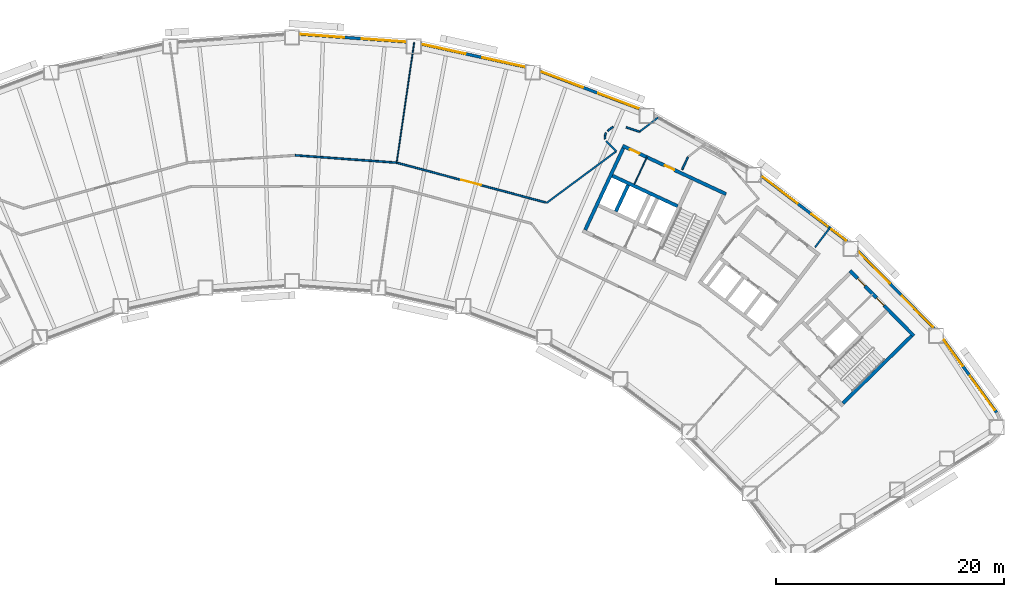
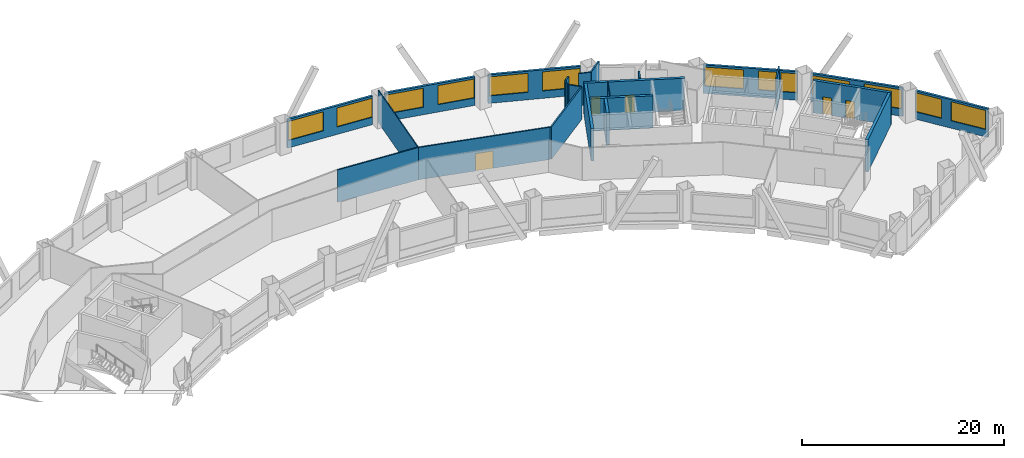
# One storey, part 7 of 11: 25 walls, 13 windows, 5 doors, 18 openings.
"""IFC4 building model written with IfcOpenShell, lengths in metres."""

import ifcopenshell
import ifcopenshell.guid

model = None  # the IFC model being written
_history = None  # IfcOwnerHistory: only IFC2X3 demands one
_inside = {}  # id of a spatial element -> (the spatial element, [elements in it])
_under = {}  # id of a project, library or spatial element -> (it, [spatial elements below it])
_declared = {}  # id of a project -> (the project, [libraries it declares])
_typed = {}  # id of a type object -> (the type object, [elements of that type])
_made_of = {}  # id of a material, layer set ... -> (it, [elements and type objects made of it])


def new_model(schema):
    """Start an empty IFC model of exactly this schema.

    Asked for "IFC4X3", IfcOpenShell would pick the latest addendum, in which some entities
    have other attributes; the version numbers below select the first issue.
    IFC2X3 requires an IfcOwnerHistory on every rooted entity: one is made here for all.
    """
    global model, _history
    if schema == "IFC4X3":
        model = ifcopenshell.file(schema_version=(4, 3, 0, 0))
    else:
        model = ifcopenshell.file(schema=schema)
    _inside.clear()
    _under.clear()
    _declared.clear()
    _typed.clear()
    _made_of.clear()
    _history = None
    if model.schema == "IFC2X3":
        org = make("IfcOrganization", Name="unknown")
        user = make(
            "IfcPersonAndOrganization",
            ThePerson=make("IfcPerson", FamilyName="unknown"),
            TheOrganization=org,
        )
        app = make(
            "IfcApplication",
            ApplicationDeveloper=org,
            Version="unknown",
            ApplicationFullName="unknown",
            ApplicationIdentifier="unknown",
        )
        _history = make(
            "IfcOwnerHistory",
            OwningUser=user,
            OwningApplication=app,
            ChangeAction="ADDED",
            CreationDate=0,
        )
    return model


def make(cls, **values):
    """One entity of the class cls with the attributes given. An attribute that is None is left unset."""
    return model.create_entity(
        cls, **{name: value for name, value in values.items() if value is not None}
    )


def rooted(cls, **values):
    """An entity with a GlobalId (a new one), such as an element, a storey or a relation."""
    return make(cls, GlobalId=ifcopenshell.guid.new(), OwnerHistory=_history, **values)


def si_unit(unit_type, name, prefix=None):
    """IfcSIUnit, for example si_unit("LENGTHUNIT", "METRE", prefix="MILLI")."""
    return make("IfcSIUnit", UnitType=unit_type, Prefix=prefix, Name=name)


def assignment(units):
    """IfcUnitAssignment: the units of a project."""
    return None if units is None else make("IfcUnitAssignment", Units=units)


def point(xyz):
    """IfcCartesianPoint."""
    return None if xyz is None else make("IfcCartesianPoint", Coordinates=xyz)


def direction(xyz):
    """IfcDirection."""
    return None if xyz is None else make("IfcDirection", DirectionRatios=xyz)


def frame(location, z_axis=None, x_axis=None):
    """IfcAxis2Placement3D, a coordinate frame: its origin and axes. An axis left out is left unset."""
    return make(
        "IfcAxis2Placement3D",
        Location=point(location),
        Axis=direction(z_axis),
        RefDirection=direction(x_axis),
    )


def frame_2d(location, x_axis=None):
    """IfcAxis2Placement2D, a coordinate frame in the plane: its origin and x axis."""
    return make(
        "IfcAxis2Placement2D", Location=point(location), RefDirection=direction(x_axis)
    )


def origin():
    """The frame at (0, 0, 0) with its axes left unset."""
    return frame((0.0, 0.0, 0.0))


def place(relative_to, where):
    """IfcLocalPlacement: puts the frame where relative to a parent placement (None: the world)."""
    return make(
        "IfcLocalPlacement", PlacementRelTo=relative_to, RelativePlacement=where
    )


def context(
    kind, dimensions, precision=None, world=None, true_north=None, identifier=None
):
    """IfcGeometricRepresentationContext, for example the 3D "Model" context."""
    return make(
        "IfcGeometricRepresentationContext",
        ContextIdentifier=identifier,
        ContextType=kind,
        CoordinateSpaceDimension=dimensions,
        Precision=precision,
        WorldCoordinateSystem=world,
        TrueNorth=true_north,
    )


def subcontext(parent, identifier, kind, view, scale=None):
    """IfcGeometricRepresentationSubContext, for example "Body" below "Model"."""
    return make(
        "IfcGeometricRepresentationSubContext",
        ContextIdentifier=identifier,
        ContextType=kind,
        ParentContext=parent,
        TargetScale=scale,
        TargetView=view,
    )


def project(units=None, contexts=None):
    """IfcProject with its units and contexts."""
    return rooted(
        "IfcProject",
        Name="project",
        RepresentationContexts=contexts,
        UnitsInContext=assignment(units),
    )


def spatial(cls, under=None, at=None, **own):
    """A site, building, storey or space (cls), placed at a placement, below another one or the project."""
    s = rooted(cls, ObjectPlacement=at, **own)
    if under is not None:
        _under.setdefault(under.id(), (under, []))[1].append(s)
    return s


def profile(cls, at=None, kind="AREA", **sizes):
    """A parametric profile (cls). Its sizes go by their IFC names, for example OverallWidth=200.0."""
    return make(cls, ProfileType=kind, Position=at, **sizes)


def rectangle(**sizes):
    """IfcRectangleProfileDef."""
    return profile("IfcRectangleProfileDef", **sizes)


def extrude(swept, where, along, depth):
    """IfcExtrudedAreaSolid: the profile swept, set in the frame where, extruded along a direction by depth."""
    return make(
        "IfcExtrudedAreaSolid",
        SweptArea=swept,
        Position=where,
        ExtrudedDirection=direction(along),
        Depth=depth,
    )


def shape(context_of_items, identifier, shape_type, items):
    """IfcShapeRepresentation: the items that make up one representation, for example the "Body"."""
    return make(
        "IfcShapeRepresentation",
        ContextOfItems=context_of_items,
        RepresentationIdentifier=identifier,
        RepresentationType=shape_type,
        Items=items,
    )


def material(Name=None, Category=None):
    """IfcMaterial."""
    return make("IfcMaterial", Name=Name, Category=Category)


def layer(
    of_material, thickness, ventilated=None, Name=None, Category=None, Priority=None
):
    """IfcMaterialLayer: one layer of a wall or slab, of a material (None: an air gap)."""
    return make(
        "IfcMaterialLayer",
        Material=of_material,
        LayerThickness=thickness,
        IsVentilated=ventilated,
        Name=Name,
        Category=Category,
        Priority=Priority,
    )


def layer_set(layers, Name=None):
    """IfcMaterialLayerSet."""
    return make("IfcMaterialLayerSet", MaterialLayers=layers, LayerSetName=Name)


def made_of(thing, what):
    """Note that an element or type object is made of a material, layer set ...; save() writes the relation."""
    if what is not None:
        _made_of.setdefault(what.id(), (what, []))[1].append(thing)
    return thing


def type_object(cls, material=None, **own):
    """A type object (cls), such as IfcWallType, which elements share."""
    return made_of(rooted(cls, **own), material)


def element(
    cls,
    number,
    at=None,
    inside=None,
    cuts=None,
    type_object=None,
    material=None,
    context=None,
    identifier="Body",
    shape_type=None,
    held_by="IfcProductDefinitionShape",
    body=None,
    shapes=None,
    **own,
):
    """One element of the class cls, such as IfcWall. Its Tag is "e" and its number.

    at: its placement. inside: the storey or other place that contains it. cuts: it is an
    opening in that element (IfcRelVoidsElement). A single representation is given by context,
    identifier, shape_type and body (its items); several are given by shapes. held_by: the class
    of the entity that holds the representations. save() writes the other relations.
    """
    e = rooted(cls, Tag="e%d" % number, ObjectPlacement=at, **own)
    if body is not None:
        shapes = [shape(context, identifier, shape_type, body)]
    if shapes is not None:
        e.Representation = make(held_by, Representations=shapes)
    if inside is not None:
        _inside.setdefault(inside.id(), (inside, []))[1].append(e)
    if cuts is not None:
        rooted(
            "IfcRelVoidsElement", RelatingBuildingElement=cuts, RelatedOpeningElement=e
        )
    if type_object is not None:
        _typed.setdefault(type_object.id(), (type_object, []))[1].append(e)
    return made_of(e, material)


def fill(opening, filler):
    """IfcRelFillsElement: the door or window that sits in an opening."""
    return rooted(
        "IfcRelFillsElement",
        RelatingOpeningElement=opening,
        RelatedBuildingElement=filler,
    )


def aggregate(whole, parts):
    """IfcRelAggregates: a whole, such as a stair, and the parts it consists of."""
    return rooted("IfcRelAggregates", RelatingObject=whole, RelatedObjects=parts)


def save(model, path):
    """Write the relations noted so far, then the file.

    IfcRelAggregates (storeys below a building ...), IfcRelContainedInSpatialStructure (elements
    in a storey), IfcRelDefinesByType, IfcRelAssociatesMaterial and IfcRelDeclares: one each for
    every whole, place, type object, material and project.
    """
    for whole, parts in _under.values():
        aggregate(whole, parts)
    for where, things in _inside.values():
        rooted(
            "IfcRelContainedInSpatialStructure",
            RelatedElements=things,
            RelatingStructure=where,
        )
    for kind, things in _typed.values():
        rooted("IfcRelDefinesByType", RelatedObjects=things, RelatingType=kind)
    for what, things in _made_of.values():
        rooted("IfcRelAssociatesMaterial", RelatedObjects=things, RelatingMaterial=what)
    for by, libraries in _declared.values():
        rooted("IfcRelDeclares", RelatingContext=by, RelatedDefinitions=libraries)
    model.write(path)


model = new_model("IFC4")

# Units and contexts
model_context = context("Model", 3, precision=1e-05, world=origin(), true_north=direction((0.0, 1.0)))
body_context = subcontext(model_context, "Body", "Model", "MODEL_VIEW")
ifc_project = project(units=[si_unit("LENGTHUNIT", "METRE"), si_unit("AREAUNIT", "SQUARE_METRE"), si_unit("VOLUMEUNIT", "CUBIC_METRE"), si_unit("PLANEANGLEUNIT", "RADIAN"), si_unit("MASSUNIT", "GRAM", prefix="KILO")], contexts=[model_context])

# Site, building, storey
site_placement = place(None, origin())
site = spatial("IfcSite", under=ifc_project, at=site_placement, CompositionType="ELEMENT")
building_placement = place(site_placement, origin())
building = spatial("IfcBuilding", under=site, at=building_placement, Name="Tuul Gate Civic Tower", CompositionType="ELEMENT")
storey_placement = place(building_placement, frame((0.0, 0.0, 39.89990234375)))
storey = spatial("IfcBuildingStorey", under=building, at=storey_placement, Name="Level 08", CompositionType="ELEMENT", Elevation=39.89990234375)

# Wall, openings, doors
ifc_material_1 = material(Name="Concrete C50/60", Category="concrete")
ifc_layer_1 = layer(ifc_material_1, 0.300048828125)
ifc_layer_set_1 = layer_set([ifc_layer_1], Name="Concrete C50/60")
wall_type_1 = type_object("IfcWallType", Name="Core wall C50/60", PredefinedType="SHEAR", material=ifc_layer_set_1)
wall_1_placement = place(storey_placement, frame((54.43798828125, -12.23779296875, 0.0), z_axis=(0.0, 0.0, 1.0), x_axis=(-0.700021979774, 0.714121297703, 0.0)))
wall_1 = element("IfcWall", 1, at=wall_1_placement, inside=storey, type_object=wall_type_1, Name="Core wall", PredefinedType="SHEAR", context=body_context, shape_type="SweptSolid", body=[
    extrude(rectangle(XDim=8.0, YDim=0.300048828125, at=frame_2d((4.0, 0.0))), origin(), (0.0, 0.0, 1.0), 3.900146484375),
])
opening_1_placement = place(wall_1_placement, frame((3.75, 0.0, 0.0)))
opening_1 = element("IfcOpeningElement", 2, at=opening_1_placement, cuts=wall_1, Name="Opening B-D21", PredefinedType="OPENING", context=body_context, shape_type="SweptSolid", body=[
    extrude(rectangle(XDim=0.89990234375, YDim=2.10009765625, at=frame_2d((0.449951171875, 1.050048828125))), frame((0.0, 0.16015625, 0.0), z_axis=(0.0, -1.0, 0.0), x_axis=(1.0, 0.0, 0.0)), (0.0, 0.0, 1.0), 0.320068359375),
])
opening_2_placement = place(wall_1_placement, frame((6.125, 0.0, 0.0)))
opening_2 = element("IfcOpeningElement", 3, at=opening_2_placement, cuts=wall_1, Name="Opening B-D22", PredefinedType="OPENING", context=body_context, shape_type="SweptSolid", body=[
    extrude(rectangle(XDim=0.89990234375, YDim=2.10009765625, at=frame_2d((0.449951171875, 1.050048828125))), frame((0.0, 0.16015625, 0.0), z_axis=(0.0, -1.0, 0.0), x_axis=(1.0, 0.0, 0.0)), (0.0, 0.0, 1.0), 0.320068359375),
])
ifc_material_2 = material(Name="Timber door leaf", Category="wood")
door_type_1 = type_object("IfcDoorType", Name="Door D09", OperationType="NOTDEFINED", PredefinedType="DOOR", material=ifc_material_2)
door_1_placement = place(opening_1_placement, origin())
door_1 = element("IfcDoor", 4, at=door_1_placement, inside=storey, type_object=door_type_1, Name="Door B-D21", OperationType="SINGLE_SWING_LEFT", OverallHeight=2.10009765625, OverallWidth=0.89990234375, PredefinedType="DOOR", context=body_context, shape_type="SweptSolid", body=[
    extrude(rectangle(XDim=0.89990234375, YDim=2.10009765625, at=frame_2d((0.449951171875, 1.050048828125))), frame((0.0, 0.02490234375, 0.0), z_axis=(0.0, -1.0, 0.0), x_axis=(1.0, 0.0, 0.0)), (0.0, 0.0, 1.0), 0.050048828125),
])
fill(opening_1, door_1)
door_2_placement = place(opening_2_placement, origin())
door_2 = element("IfcDoor", 5, at=door_2_placement, inside=storey, type_object=door_type_1, Name="Door B-D22", OperationType="SINGLE_SWING_LEFT", OverallHeight=2.10009765625, OverallWidth=0.89990234375, PredefinedType="DOOR", context=body_context, shape_type="SweptSolid", body=[
    extrude(rectangle(XDim=0.89990234375, YDim=2.10009765625, at=frame_2d((0.449951171875, 1.050048828125))), frame((0.0, 0.02490234375, 0.0), z_axis=(0.0, -1.0, 0.0), x_axis=(1.0, 0.0, 0.0)), (0.0, 0.0, 1.0), 0.050048828125),
])
fill(opening_2, door_2)

# Walls
wall_2_placement = place(storey_placement, frame((48.227294921875, -18.115966796875, 0.0), z_axis=(0.0, 0.0, 1.0), x_axis=(0.714105315431, 0.700038283577, 0.0)))
element("IfcWall", 6, at=wall_2_placement, inside=storey, type_object=wall_type_1, Name="Core wall", PredefinedType="SHEAR", context=body_context, shape_type="SweptSolid", body=[
    extrude(rectangle(XDim=8.400146484375, YDim=0.300048828125, at=frame_2d((4.2001953125, 0.0))), origin(), (0.0, 0.0, 1.0), 3.900146484375),
])
wall_3_placement = place(storey_placement, frame((33.75, -0.873779296875, 0.0), z_axis=(0.0, 0.0, 1.0), x_axis=(-0.906300917592, 0.422632992999, 0.0)))
element("IfcWall", 7, at=wall_3_placement, inside=storey, type_object=wall_type_1, Name="Core wall", PredefinedType="SHEAR", context=body_context, shape_type="SweptSolid", body=[
    extrude(rectangle(XDim=6.300048828125, YDim=0.300048828125, at=frame_2d((3.14990234375, 0.0))), origin(), (0.0, 0.0, 1.0), 3.900146484375),
])

# Wall, openings, doors
wall_4_placement = place(storey_placement, frame((37.993408203125, 0.181884765625, 0.0), z_axis=(0.0, 0.0, 1.0), x_axis=(-0.906310338845, 0.422612789327, 0.0)))
wall_4 = element("IfcWall", 8, at=wall_4_placement, inside=storey, type_object=wall_type_1, Name="Core wall", PredefinedType="SHEAR", context=body_context, shape_type="SweptSolid", body=[
    extrude(rectangle(XDim=9.999755859375, YDim=0.300048828125, at=frame_2d((5.0, 0.0))), origin(), (0.0, 0.0, 1.0), 3.900146484375),
])
opening_3_placement = place(wall_4_placement, frame((4.99365234375, 0.0, 0.0)))
opening_3 = element("IfcOpeningElement", 9, at=opening_3_placement, cuts=wall_4, Name="Opening B-D23", PredefinedType="OPENING", context=body_context, shape_type="SweptSolid", body=[
    extrude(rectangle(XDim=0.89990234375, YDim=2.10009765625, at=frame_2d((0.449951171875, 1.050048828125))), frame((0.0, 0.16015625, 0.0), z_axis=(0.0, -1.0, 0.0), x_axis=(1.0, 0.0, 0.0)), (0.0, 0.0, 1.0), 0.320068359375),
])
opening_4_placement = place(wall_4_placement, frame((8.368896484375, 0.0, 0.0)))
opening_4 = element("IfcOpeningElement", 10, at=opening_4_placement, cuts=wall_4, Name="Opening B-D24", PredefinedType="OPENING", context=body_context, shape_type="SweptSolid", body=[
    extrude(rectangle(XDim=0.89990234375, YDim=2.10009765625, at=frame_2d((0.449951171875, 1.050048828125))), frame((0.0, 0.16015625, 0.0), z_axis=(0.0, -1.0, 0.0), x_axis=(1.0, 0.0, 0.0)), (0.0, 0.0, 1.0), 0.320068359375),
])
door_3_placement = place(opening_3_placement, origin())
door_3 = element("IfcDoor", 11, at=door_3_placement, inside=storey, type_object=door_type_1, Name="Door B-D23", OperationType="SINGLE_SWING_LEFT", OverallHeight=2.10009765625, OverallWidth=0.89990234375, PredefinedType="DOOR", context=body_context, shape_type="SweptSolid", body=[
    extrude(rectangle(XDim=0.89990234375, YDim=2.10009765625, at=frame_2d((0.449951171875, 1.050048828125))), frame((0.0, 0.02490234375, 0.0), z_axis=(0.0, -1.0, 0.0), x_axis=(1.0, 0.0, 0.0)), (0.0, 0.0, 1.0), 0.050048828125),
])
fill(opening_3, door_3)
door_4_placement = place(opening_4_placement, origin())
door_4 = element("IfcDoor", 12, at=door_4_placement, inside=storey, type_object=door_type_1, Name="Door B-D24", OperationType="SINGLE_SWING_RIGHT", OverallHeight=2.10009765625, OverallWidth=0.89990234375, PredefinedType="DOOR", context=body_context, shape_type="SweptSolid", body=[
    extrude(rectangle(XDim=0.89990234375, YDim=2.10009765625, at=frame_2d((0.449951171875, 1.050048828125))), frame((0.0, 0.02490234375, 0.0), z_axis=(0.0, -1.0, 0.0), x_axis=(1.0, 0.0, 0.0)), (0.0, 0.0, 1.0), 0.050048828125),
])
fill(opening_4, door_4)

# Walls
wall_5_placement = place(storey_placement, frame((28.349365234375, -1.33447265625, 0.0), z_axis=(0.0, 0.0, 1.0), x_axis=(0.422612891016, 0.906310291427, 0.0)))
element("IfcWall", 13, at=wall_5_placement, inside=storey, type_object=wall_type_1, Name="Core wall", PredefinedType="SHEAR", context=body_context, shape_type="SweptSolid", body=[
    extrude(rectangle(XDim=2.550048828125, YDim=0.300048828125, at=frame_2d((1.27490234375, 0.0))), origin(), (0.0, 0.0, 1.0), 3.900146484375),
])
wall_6_placement = place(storey_placement, frame((25.66455078125, -2.951416015625, 0.0), z_axis=(0.0, 0.0, 1.0), x_axis=(0.422582604137, 0.906324413596, 0.0)))
element("IfcWall", 14, at=wall_6_placement, inside=storey, type_object=wall_type_1, Name="Core wall", PredefinedType="SHEAR", context=body_context, shape_type="SweptSolid", body=[
    extrude(rectangle(XDim=7.89990234375, YDim=0.300048828125, at=frame_2d((3.949951171875, 0.0))), origin(), (0.0, 0.0, 1.0), 3.900146484375),
])
ifc_material_3 = material(Name="Gypsum board partition")
ifc_layer_2 = layer(ifc_material_3, 0.14990234375)
ifc_layer_set_2 = layer_set([ifc_layer_2], Name="Gypsum board partition")
wall_type_2 = type_object("IfcWallType", Name="Corridor wall P150", PredefinedType="PARTITIONING", material=ifc_layer_set_2)
wall_7_placement = place(storey_placement, frame((45.777587890625, -4.485595703125, 0.0), z_axis=(0.0, 0.0, 1.0), x_axis=(0.60268588556, 0.797978523111, 0.0)))
element("IfcWall", 15, at=wall_7_placement, inside=storey, type_object=wall_type_2, Name="p009", PredefinedType="PARTITIONING", context=body_context, shape_type="SweptSolid", body=[
    extrude(rectangle(XDim=2.13525390625, YDim=0.14990234375, at=frame_2d((1.067626953125, 0.0))), origin(), (0.0, 0.0, 1.0), 3.900146484375),
])
wall_8_placement = place(storey_placement, frame((34.143798828125, 2.322509765625, 0.0), z_axis=(0.0, 0.0, 1.0), x_axis=(0.422708976836, 0.906265480366, 0.0)))
element("IfcWall", 16, at=wall_8_placement, inside=storey, type_object=wall_type_2, Name="p012", PredefinedType="PARTITIONING", context=body_context, shape_type="SweptSolid", body=[
    extrude(rectangle(XDim=1.211669921875, YDim=0.14990234375, at=frame_2d((0.60595703125, 0.0))), origin(), (0.0, 0.0, 1.0), 3.900146484375),
])
wall_9_placement = place(storey_placement, frame((22.2646484375, -0.605712890625, 0.0), z_axis=(0.0, 0.0, 1.0), x_axis=(0.803520813398, 0.595276660417, 0.0)))
element("IfcWall", 17, at=wall_9_placement, inside=storey, type_object=wall_type_2, Name="p017", PredefinedType="PARTITIONING", context=body_context, shape_type="SweptSolid", body=[
    extrude(rectangle(XDim=7.608642578125, YDim=0.14990234375, at=frame_2d((3.80419921875, 0.0))), origin(), (0.0, 0.0, 1.0), 3.900146484375),
])
wall_10_placement = place(storey_placement, frame((30.42431640625, 5.643310546875, 0.0), z_axis=(0.0, 0.0, 1.0), x_axis=(0.79384868291, 0.608115341561, 0.0)))
element("IfcWall", 18, at=wall_10_placement, inside=storey, type_object=wall_type_2, Name="p018", PredefinedType="PARTITIONING", context=body_context, shape_type="SweptSolid", body=[
    extrude(rectangle(XDim=2.042724609375, YDim=0.14990234375, at=frame_2d((1.021484375, 0.0))), origin(), (0.0, 0.0, 1.0), 3.900146484375),
])
wall_11_placement = place(storey_placement, frame((29.2568359375, 6.028564453125, 0.0), z_axis=(0.0, 0.0, 1.0), x_axis=(0.949632194878, -0.313366709226, 0.0)))
element("IfcWall", 19, at=wall_11_placement, inside=storey, type_object=wall_type_2, Name="p019", PredefinedType="PARTITIONING", context=body_context, shape_type="SweptSolid", body=[
    extrude(rectangle(XDim=1.2294921875, YDim=0.14990234375, at=frame_2d((0.61474609375, 0.0))), origin(), (0.0, 0.0, 1.0), 3.900146484375),
])
wall_12_placement = place(storey_placement, frame((27.62158203125, 5.70654296875, 0.0), z_axis=(0.0, 0.0, 1.0), x_axis=(0.793734738563, 0.608264058447, 0.0)))
element("IfcWall", 20, at=wall_12_placement, inside=storey, type_object=wall_type_2, Name="p020", PredefinedType="PARTITIONING", context=body_context, shape_type="SweptSolid", body=[
    extrude(rectangle(XDim=0.612060546875, YDim=0.14990234375, at=frame_2d((0.30615234375, 0.0))), origin(), (0.0, 0.0, 1.0), 3.900146484375),
])
wall_13_placement = place(storey_placement, frame((27.389404296875, 5.285888671875, 0.0), z_axis=(0.0, 0.0, 1.0), x_axis=(0.330896267797, 0.943667134088, 0.0)))
element("IfcWall", 21, at=wall_13_placement, inside=storey, type_object=wall_type_2, Name="p021", PredefinedType="PARTITIONING", context=body_context, shape_type="SweptSolid", body=[
    extrude(rectangle(XDim=0.27880859375, YDim=0.14990234375, at=frame_2d((0.139404296875, 0.0))), origin(), (0.0, 0.0, 1.0), 3.900146484375),
])
wall_14_placement = place(storey_placement, frame((27.389404296875, 5.285888671875, 0.0), z_axis=(0.0, 0.0, 1.0), x_axis=(0.054795599589, -0.998497592519, 0.0)))
element("IfcWall", 22, at=wall_14_placement, inside=storey, type_object=wall_type_2, Name="p022", PredefinedType="PARTITIONING", context=body_context, shape_type="SweptSolid", body=[
    extrude(rectangle(XDim=0.28076171875, YDim=0.14990234375, at=frame_2d((0.140380859375, 0.0))), origin(), (0.0, 0.0, 1.0), 3.900146484375),
])
wall_15_placement = place(storey_placement, frame((27.49951171875, 4.809326171875, 0.0), z_axis=(0.0, 0.0, 1.0), x_axis=(0.704266832513, -0.709935369328, 0.0)))
element("IfcWall", 23, at=wall_15_placement, inside=storey, type_object=wall_type_2, Name="p023", PredefinedType="PARTITIONING", context=body_context, shape_type="SweptSolid", body=[
    extrude(rectangle(XDim=1.2490234375, YDim=0.14990234375, at=frame_2d((0.62451171875, 0.0))), origin(), (0.0, 0.0, 1.0), 3.900146484375),
])

# Wall, opening, door
wall_16_placement = place(storey_placement, frame((9.14306640625, 2.93408203125, 0.0), z_axis=(0.0, 0.0, 1.0), x_axis=(0.966243040553, -0.257632270074, 0.0)))
wall_16 = element("IfcWall", 24, at=wall_16_placement, inside=storey, type_object=wall_type_2, Name="p024", PredefinedType="PARTITIONING", context=body_context, shape_type="SweptSolid", body=[
    extrude(rectangle(XDim=13.504638671875, YDim=0.14990234375, at=frame_2d((6.75244140625, 0.0))), origin(), (0.0, 0.0, 1.0), 3.900146484375),
])
opening_5_placement = place(wall_16_placement, frame((5.86328125, 0.0, 0.0)))
opening_5 = element("IfcOpeningElement", 25, at=opening_5_placement, cuts=wall_16, Name="Opening B-D03", PredefinedType="OPENING", context=body_context, shape_type="SweptSolid", body=[
    extrude(rectangle(XDim=1.800048828125, YDim=2.10009765625, at=frame_2d((0.89990234375, 1.050048828125))), frame((0.0, 0.0849609375, 0.0), z_axis=(0.0, -1.0, 0.0), x_axis=(1.0, 0.0, 0.0)), (0.0, 0.0, 1.0), 0.169921875),
])
ifc_material_4 = material(Name="Timber door leaf, double", Category="wood")
door_type_2 = type_object("IfcDoorType", Name="Door D18", OperationType="DOUBLE_DOOR_SINGLE_SWING", PredefinedType="DOOR", material=ifc_material_4)
door_5_placement = place(opening_5_placement, origin())
door_5 = element("IfcDoor", 26, at=door_5_placement, inside=storey, type_object=door_type_2, Name="Door B-D03", OperationType="DOUBLE_DOOR_SINGLE_SWING", OverallHeight=2.10009765625, OverallWidth=1.800048828125, PredefinedType="DOOR", context=body_context, shape_type="SweptSolid", body=[
    extrude(rectangle(XDim=1.800048828125, YDim=2.10009765625, at=frame_2d((0.89990234375, 1.050048828125))), frame((0.0, 0.02490234375, 0.0), z_axis=(0.0, -1.0, 0.0), x_axis=(1.0, 0.0, 0.0)), (0.0, 0.0, 1.0), 0.050048828125),
])
fill(opening_5, door_5)

# Wall
wall_17_placement = place(storey_placement, frame((0.27587890625, 3.576416015625, 0.0), z_axis=(0.0, 0.0, 1.0), x_axis=(0.997387664571, -0.072234663155, 0.0)))
element("IfcWall", 27, at=wall_17_placement, inside=storey, type_object=wall_type_2, Name="p026", PredefinedType="PARTITIONING", context=body_context, shape_type="SweptSolid", body=[
    extrude(rectangle(XDim=8.888916015625, YDim=0.14990234375, at=frame_2d((4.4443359375, 0.0))), origin(), (0.0, 0.0, 1.0), 3.900146484375),
])

# Wall, openings, windows
ifc_material_5 = material(Name="Precast concrete C40/50", Category="concrete")
ifc_layer_3 = layer(ifc_material_5, 0.25)
ifc_layer_set_3 = layer_set([ifc_layer_3], Name="Precast concrete C40/50")
wall_type_3 = type_object("IfcWallType", Name="External wall", PredefinedType="STANDARD", material=ifc_layer_set_3)
wall_18_placement = place(storey_placement, frame((61.68896484375, -18.94677734375, 0.0), z_axis=(0.0, 0.0, 1.0), x_axis=(-0.589806928208, 0.807544294412, 0.0)))
wall_18 = element("IfcWall", 28, at=wall_18_placement, inside=storey, type_object=wall_type_3, Name="External wall", PredefinedType="STANDARD", context=body_context, shape_type="SweptSolid", body=[
    extrude(rectangle(XDim=7.912841796875, YDim=0.25, at=frame_2d((3.95654296875, 0.0))), origin(), (0.0, 0.0, 1.0), 3.4501953125),
])
opening_6_placement = place(wall_18_placement, frame((0.30078125, 0.0, 0.89990234375)))
opening_6 = element("IfcOpeningElement", 29, at=opening_6_placement, cuts=wall_18, Name="Opening W21", PredefinedType="OPENING", context=body_context, shape_type="SweptSolid", body=[
    extrude(rectangle(XDim=3.699951171875, YDim=2.300048828125, at=frame_2d((1.85009765625, 1.14990234375))), frame((0.0, 0.135009765625, 0.0), z_axis=(0.0, -1.0, 0.0), x_axis=(1.0, 0.0, 0.0)), (0.0, 0.0, 1.0), 0.27001953125),
])
opening_7_placement = place(wall_18_placement, frame((5.052001953125, 0.0, 0.89990234375)))
opening_7 = element("IfcOpeningElement", 30, at=opening_7_placement, cuts=wall_18, Name="Opening W23", PredefinedType="OPENING", context=body_context, shape_type="SweptSolid", body=[
    extrude(rectangle(XDim=2.800048828125, YDim=2.300048828125, at=frame_2d((1.39990234375, 1.14990234375))), frame((0.0, 0.135009765625, 0.0), z_axis=(0.0, -1.0, 0.0), x_axis=(1.0, 0.0, 0.0)), (0.0, 0.0, 1.0), 0.27001953125),
])
ifc_material_6 = material(Name="Glass", Category="glass")
window_type_1 = type_object("IfcWindowType", Name="Window W21 3700 x 2300", PartitioningType="SINGLE_PANEL", PredefinedType="WINDOW", material=ifc_material_6)
window_1_placement = place(opening_6_placement, origin())
window_1 = element("IfcWindow", 31, at=window_1_placement, inside=storey, type_object=window_type_1, Name="Window", OverallHeight=2.300048828125, OverallWidth=3.699951171875, PartitioningType="SINGLE_PANEL", PredefinedType="WINDOW", context=body_context, shape_type="SweptSolid", body=[
    extrude(rectangle(XDim=3.699951171875, YDim=2.300048828125, at=frame_2d((1.85009765625, 1.14990234375))), frame((0.0, 0.030029296875, 0.0), z_axis=(0.0, -1.0, 0.0), x_axis=(1.0, 0.0, 0.0)), (0.0, 0.0, 1.0), 0.06005859375),
])
fill(opening_6, window_1)
ifc_material_7 = material(Name="Glass", Category="glass")
window_type_2 = type_object("IfcWindowType", Name="Window W23 2800 x 2300", PartitioningType="SINGLE_PANEL", PredefinedType="WINDOW", material=ifc_material_7)
window_2_placement = place(opening_7_placement, origin())
window_2 = element("IfcWindow", 32, at=window_2_placement, inside=storey, type_object=window_type_2, Name="Window", OverallHeight=2.300048828125, OverallWidth=2.800048828125, PartitioningType="SINGLE_PANEL", PredefinedType="WINDOW", context=body_context, shape_type="SweptSolid", body=[
    extrude(rectangle(XDim=2.800048828125, YDim=2.300048828125, at=frame_2d((1.39990234375, 1.14990234375))), frame((0.0, 0.030029296875, 0.0), z_axis=(0.0, -1.0, 0.0), x_axis=(1.0, 0.0, 0.0)), (0.0, 0.0, 1.0), 0.06005859375),
])
fill(opening_7, window_2)

wall_19_placement = place(storey_placement, frame((56.18896484375, -11.56689453125, 0.0), z_axis=(0.0, 0.0, 1.0), x_axis=(-0.699994476854, 0.714148256578, 0.0)))
wall_19 = element("IfcWall", 33, at=wall_19_placement, inside=storey, type_object=wall_type_3, Name="External wall", PredefinedType="STANDARD", context=body_context, shape_type="SweptSolid", body=[
    extrude(rectangle(XDim=9.487060546875, YDim=0.25, at=frame_2d((4.74365234375, 0.0))), origin(), (0.0, 0.0, 1.0), 3.4501953125),
])
opening_8_placement = place(wall_19_placement, frame((0.135498046875, 0.0, 0.89990234375)))
opening_8 = element("IfcOpeningElement", 34, at=opening_8_placement, cuts=wall_19, Name="Opening W22", PredefinedType="OPENING", context=body_context, shape_type="SweptSolid", body=[
    extrude(rectangle(XDim=3.85009765625, YDim=2.300048828125, at=frame_2d((1.925048828125, 1.14990234375))), frame((0.0, 0.135009765625, 0.0), z_axis=(0.0, -1.0, 0.0), x_axis=(1.0, 0.0, 0.0)), (0.0, 0.0, 1.0), 0.27001953125),
])
opening_9_placement = place(wall_19_placement, frame((5.5068359375, 0.0, 0.89990234375)))
opening_9 = element("IfcOpeningElement", 35, at=opening_9_placement, cuts=wall_19, Name="Opening W22", PredefinedType="OPENING", context=body_context, shape_type="SweptSolid", body=[
    extrude(rectangle(XDim=3.85009765625, YDim=2.300048828125, at=frame_2d((1.925048828125, 1.14990234375))), frame((0.0, 0.135009765625, 0.0), z_axis=(0.0, -1.0, 0.0), x_axis=(1.0, 0.0, 0.0)), (0.0, 0.0, 1.0), 0.27001953125),
])
ifc_material_8 = material(Name="Glass", Category="glass")
window_type_3 = type_object("IfcWindowType", Name="Window W22 3850 x 2300", PartitioningType="SINGLE_PANEL", PredefinedType="WINDOW", material=ifc_material_8)
window_3_placement = place(opening_8_placement, origin())
window_3 = element("IfcWindow", 36, at=window_3_placement, inside=storey, type_object=window_type_3, Name="Window", OverallHeight=2.300048828125, OverallWidth=3.85009765625, PartitioningType="SINGLE_PANEL", PredefinedType="WINDOW", context=body_context, shape_type="SweptSolid", body=[
    extrude(rectangle(XDim=3.85009765625, YDim=2.300048828125, at=frame_2d((1.925048828125, 1.14990234375))), frame((0.0, 0.030029296875, 0.0), z_axis=(0.0, -1.0, 0.0), x_axis=(1.0, 0.0, 0.0)), (0.0, 0.0, 1.0), 0.06005859375),
])
fill(opening_8, window_3)
window_4_placement = place(opening_9_placement, origin())
window_4 = element("IfcWindow", 37, at=window_4_placement, inside=storey, type_object=window_type_3, Name="Window", OverallHeight=2.300048828125, OverallWidth=3.85009765625, PartitioningType="SINGLE_PANEL", PredefinedType="WINDOW", context=body_context, shape_type="SweptSolid", body=[
    extrude(rectangle(XDim=3.85009765625, YDim=2.300048828125, at=frame_2d((1.925048828125, 1.14990234375))), frame((0.0, 0.030029296875, 0.0), z_axis=(0.0, -1.0, 0.0), x_axis=(1.0, 0.0, 0.0)), (0.0, 0.0, 1.0), 0.06005859375),
])
fill(opening_9, window_4)

wall_20_placement = place(storey_placement, frame((48.579833984375, -3.94189453125, 0.0), z_axis=(0.0, 0.0, 1.0), x_axis=(-0.795612935537, 0.605805296119, 0.0)))
wall_20 = element("IfcWall", 38, at=wall_20_placement, inside=storey, type_object=wall_type_3, Name="External wall", PredefinedType="STANDARD", context=body_context, shape_type="SweptSolid", body=[
    extrude(rectangle(XDim=9.461669921875, YDim=0.25, at=frame_2d((4.73095703125, 0.0))), origin(), (0.0, 0.0, 1.0), 3.4501953125),
])
opening_10_placement = place(wall_20_placement, frame((5.452880859375, 0.0, 0.89990234375)))
opening_10 = element("IfcOpeningElement", 39, at=opening_10_placement, cuts=wall_20, Name="Opening W22", PredefinedType="OPENING", context=body_context, shape_type="SweptSolid", body=[
    extrude(rectangle(XDim=3.85009765625, YDim=2.300048828125, at=frame_2d((1.925048828125, 1.14990234375))), frame((0.0, 0.135009765625, 0.0), z_axis=(0.0, -1.0, 0.0), x_axis=(1.0, 0.0, 0.0)), (0.0, 0.0, 1.0), 0.27001953125),
])
opening_11_placement = place(wall_20_placement, frame((0.09521484375, 0.0, 0.89990234375)))
opening_11 = element("IfcOpeningElement", 40, at=opening_11_placement, cuts=wall_20, Name="Opening W28", PredefinedType="OPENING", context=body_context, shape_type="SweptSolid", body=[
    extrude(rectangle(XDim=1.60009765625, YDim=2.300048828125, at=frame_2d((0.800048828125, 1.14990234375))), frame((0.0, 0.135009765625, 0.0), z_axis=(0.0, -1.0, 0.0), x_axis=(1.0, 0.0, 0.0)), (0.0, 0.0, 1.0), 0.27001953125),
])
opening_12_placement = place(wall_20_placement, frame((2.120361328125, 0.0, 0.89990234375)))
opening_12 = element("IfcOpeningElement", 41, at=opening_12_placement, cuts=wall_20, Name="Opening W29", PredefinedType="OPENING", context=body_context, shape_type="SweptSolid", body=[
    extrude(rectangle(XDim=1.800048828125, YDim=2.300048828125, at=frame_2d((0.89990234375, 1.14990234375))), frame((0.0, 0.135009765625, 0.0), z_axis=(0.0, -1.0, 0.0), x_axis=(1.0, 0.0, 0.0)), (0.0, 0.0, 1.0), 0.27001953125),
])
ifc_material_9 = material(Name="Glass", Category="glass")
window_type_4 = type_object("IfcWindowType", Name="Window 1600 x 2300", PartitioningType="SINGLE_PANEL", PredefinedType="WINDOW", material=ifc_material_9)
window_5_placement = place(opening_11_placement, origin())
window_5 = element("IfcWindow", 42, at=window_5_placement, inside=storey, type_object=window_type_4, Name="Window", OverallHeight=2.300048828125, OverallWidth=1.60009765625, PartitioningType="SINGLE_PANEL", PredefinedType="WINDOW", context=body_context, shape_type="SweptSolid", body=[
    extrude(rectangle(XDim=1.60009765625, YDim=2.300048828125, at=frame_2d((0.800048828125, 1.14990234375))), frame((0.0, 0.030029296875, 0.0), z_axis=(0.0, -1.0, 0.0), x_axis=(1.0, 0.0, 0.0)), (0.0, 0.0, 1.0), 0.06005859375),
])
fill(opening_11, window_5)
ifc_material_10 = material(Name="Glass", Category="glass")
window_type_5 = type_object("IfcWindowType", Name="Window 1800 x 2300", PartitioningType="SINGLE_PANEL", PredefinedType="WINDOW", material=ifc_material_10)
window_6_placement = place(opening_12_placement, origin())
window_6 = element("IfcWindow", 43, at=window_6_placement, inside=storey, type_object=window_type_5, Name="Window", OverallHeight=2.300048828125, OverallWidth=1.800048828125, PartitioningType="SINGLE_PANEL", PredefinedType="WINDOW", context=body_context, shape_type="SweptSolid", body=[
    extrude(rectangle(XDim=1.800048828125, YDim=2.300048828125, at=frame_2d((0.89990234375, 1.14990234375))), frame((0.0, 0.030029296875, 0.0), z_axis=(0.0, -1.0, 0.0), x_axis=(1.0, 0.0, 0.0)), (0.0, 0.0, 1.0), 0.06005859375),
])
fill(opening_12, window_6)
window_7_placement = place(opening_10_placement, origin())
window_7 = element("IfcWindow", 44, at=window_7_placement, inside=storey, type_object=window_type_3, Name="Window", OverallHeight=2.300048828125, OverallWidth=3.85009765625, PartitioningType="SINGLE_PANEL", PredefinedType="WINDOW", context=body_context, shape_type="SweptSolid", body=[
    extrude(rectangle(XDim=3.85009765625, YDim=2.300048828125, at=frame_2d((1.925048828125, 1.14990234375))), frame((0.0, 0.030029296875, 0.0), z_axis=(0.0, -1.0, 0.0), x_axis=(1.0, 0.0, 0.0)), (0.0, 0.0, 1.0), 0.06005859375),
])
fill(opening_10, window_7)

wall_21_placement = place(storey_placement, frame((30.4140625, 7.6455078125, 0.0), z_axis=(0.0, 0.0, 1.0), x_axis=(-0.93537723485, 0.353651563724, 0.0)))
wall_21 = element("IfcWall", 45, at=wall_21_placement, inside=storey, type_object=wall_type_3, Name="External wall", PredefinedType="STANDARD", context=body_context, shape_type="SweptSolid", body=[
    extrude(rectangle(XDim=9.287109375, YDim=0.25, at=frame_2d((4.6435546875, 0.0))), origin(), (0.0, 0.0, 1.0), 3.4501953125),
])
opening_13_placement = place(wall_21_placement, frame((0.0458984375, 0.0, 0.89990234375)))
opening_13 = element("IfcOpeningElement", 46, at=opening_13_placement, cuts=wall_21, Name="Opening W100", PredefinedType="OPENING", context=body_context, shape_type="SweptSolid", body=[
    extrude(rectangle(XDim=3.800048828125, YDim=2.300048828125, at=frame_2d((1.89990234375, 1.14990234375))), frame((0.0, 0.135009765625, 0.0), z_axis=(0.0, -1.0, 0.0), x_axis=(1.0, 0.0, 0.0)), (0.0, 0.0, 1.0), 0.27001953125),
])
opening_14_placement = place(wall_21_placement, frame((5.281982421875, 0.0, 0.89990234375)))
opening_14 = element("IfcOpeningElement", 47, at=opening_14_placement, cuts=wall_21, Name="Opening W22", PredefinedType="OPENING", context=body_context, shape_type="SweptSolid", body=[
    extrude(rectangle(XDim=3.85009765625, YDim=2.300048828125, at=frame_2d((1.925048828125, 1.14990234375))), frame((0.0, 0.135009765625, 0.0), z_axis=(0.0, -1.0, 0.0), x_axis=(1.0, 0.0, 0.0)), (0.0, 0.0, 1.0), 0.27001953125),
])
ifc_material_11 = material(Name="Glass", Category="glass")
window_type_6 = type_object("IfcWindowType", Name="Window W100 3800 x 2300", PartitioningType="SINGLE_PANEL", PredefinedType="WINDOW", material=ifc_material_11)
window_8_placement = place(opening_13_placement, origin())
window_8 = element("IfcWindow", 48, at=window_8_placement, inside=storey, type_object=window_type_6, Name="Window", OverallHeight=2.300048828125, OverallWidth=3.800048828125, PartitioningType="SINGLE_PANEL", PredefinedType="WINDOW", context=body_context, shape_type="SweptSolid", body=[
    extrude(rectangle(XDim=3.800048828125, YDim=2.300048828125, at=frame_2d((1.89990234375, 1.14990234375))), frame((0.0, 0.030029296875, 0.0), z_axis=(0.0, -1.0, 0.0), x_axis=(1.0, 0.0, 0.0)), (0.0, 0.0, 1.0), 0.06005859375),
])
fill(opening_13, window_8)
window_9_placement = place(opening_14_placement, origin())
window_9 = element("IfcWindow", 49, at=window_9_placement, inside=storey, type_object=window_type_3, Name="Window", OverallHeight=2.300048828125, OverallWidth=3.85009765625, PartitioningType="SINGLE_PANEL", PredefinedType="WINDOW", context=body_context, shape_type="SweptSolid", body=[
    extrude(rectangle(XDim=3.85009765625, YDim=2.300048828125, at=frame_2d((1.925048828125, 1.14990234375))), frame((0.0, 0.030029296875, 0.0), z_axis=(0.0, -1.0, 0.0), x_axis=(1.0, 0.0, 0.0)), (0.0, 0.0, 1.0), 0.06005859375),
])
fill(opening_14, window_9)

wall_22_placement = place(storey_placement, frame((20.427001953125, 11.304443359375, 0.0), z_axis=(0.0, 0.0, 1.0), x_axis=(-0.97654219172, 0.215326142841, 0.0)))
wall_22 = element("IfcWall", 50, at=wall_22_placement, inside=storey, type_object=wall_type_3, Name="External wall", PredefinedType="STANDARD", context=body_context, shape_type="SweptSolid", body=[
    extrude(rectangle(XDim=9.34716796875, YDim=0.25, at=frame_2d((4.673583984375, 0.0))), origin(), (0.0, 0.0, 1.0), 3.4501953125),
])
opening_15_placement = place(wall_22_placement, frame((0.04296875, 0.0, 0.89990234375)))
opening_15 = element("IfcOpeningElement", 51, at=opening_15_placement, cuts=wall_22, Name="Opening W100", PredefinedType="OPENING", context=body_context, shape_type="SweptSolid", body=[
    extrude(rectangle(XDim=3.800048828125, YDim=2.300048828125, at=frame_2d((1.89990234375, 1.14990234375))), frame((0.0, 0.135009765625, 0.0), z_axis=(0.0, -1.0, 0.0), x_axis=(1.0, 0.0, 0.0)), (0.0, 0.0, 1.0), 0.27001953125),
])
opening_16_placement = place(wall_22_placement, frame((5.363037109375, 0.0, 0.89990234375)))
opening_16 = element("IfcOpeningElement", 52, at=opening_16_placement, cuts=wall_22, Name="Opening W22", PredefinedType="OPENING", context=body_context, shape_type="SweptSolid", body=[
    extrude(rectangle(XDim=3.85009765625, YDim=2.300048828125, at=frame_2d((1.925048828125, 1.14990234375))), frame((0.0, 0.135009765625, 0.0), z_axis=(0.0, -1.0, 0.0), x_axis=(1.0, 0.0, 0.0)), (0.0, 0.0, 1.0), 0.27001953125),
])
window_10_placement = place(opening_15_placement, origin())
window_10 = element("IfcWindow", 53, at=window_10_placement, inside=storey, type_object=window_type_6, Name="Window", OverallHeight=2.300048828125, OverallWidth=3.800048828125, PartitioningType="SINGLE_PANEL", PredefinedType="WINDOW", context=body_context, shape_type="SweptSolid", body=[
    extrude(rectangle(XDim=3.800048828125, YDim=2.300048828125, at=frame_2d((1.89990234375, 1.14990234375))), frame((0.0, 0.030029296875, 0.0), z_axis=(0.0, -1.0, 0.0), x_axis=(1.0, 0.0, 0.0)), (0.0, 0.0, 1.0), 0.06005859375),
])
fill(opening_15, window_10)
window_11_placement = place(opening_16_placement, origin())
window_11 = element("IfcWindow", 54, at=window_11_placement, inside=storey, type_object=window_type_3, Name="Window", OverallHeight=2.300048828125, OverallWidth=3.85009765625, PartitioningType="SINGLE_PANEL", PredefinedType="WINDOW", context=body_context, shape_type="SweptSolid", body=[
    extrude(rectangle(XDim=3.85009765625, YDim=2.300048828125, at=frame_2d((1.925048828125, 1.14990234375))), frame((0.0, 0.030029296875, 0.0), z_axis=(0.0, -1.0, 0.0), x_axis=(1.0, 0.0, 0.0)), (0.0, 0.0, 1.0), 0.06005859375),
])
fill(opening_16, window_11)

wall_23_placement = place(storey_placement, frame((9.9990234375, 13.50048828125, 0.0), z_axis=(0.0, 0.0, 1.0), x_axis=(-0.997388413682, 0.072224318983, 0.0)))
wall_23 = element("IfcWall", 55, at=wall_23_placement, inside=storey, type_object=wall_type_3, Name="External wall", PredefinedType="STANDARD", context=body_context, shape_type="SweptSolid", body=[
    extrude(rectangle(XDim=9.37353515625, YDim=0.25, at=frame_2d((4.686767578125, 0.0))), origin(), (0.0, 0.0, 1.0), 3.4501953125),
])
opening_17_placement = place(wall_23_placement, frame((0.052734375, 0.0, 0.89990234375)))
opening_17 = element("IfcOpeningElement", 56, at=opening_17_placement, cuts=wall_23, Name="Opening W22", PredefinedType="OPENING", context=body_context, shape_type="SweptSolid", body=[
    extrude(rectangle(XDim=3.85009765625, YDim=2.300048828125, at=frame_2d((1.925048828125, 1.14990234375))), frame((0.0, 0.135009765625, 0.0), z_axis=(0.0, -1.0, 0.0), x_axis=(1.0, 0.0, 0.0)), (0.0, 0.0, 1.0), 0.27001953125),
])
opening_18_placement = place(wall_23_placement, frame((5.423828125, 0.0, 0.89990234375)))
opening_18 = element("IfcOpeningElement", 57, at=opening_18_placement, cuts=wall_23, Name="Opening W22", PredefinedType="OPENING", context=body_context, shape_type="SweptSolid", body=[
    extrude(rectangle(XDim=3.85009765625, YDim=2.300048828125, at=frame_2d((1.925048828125, 1.14990234375))), frame((0.0, 0.135009765625, 0.0), z_axis=(0.0, -1.0, 0.0), x_axis=(1.0, 0.0, 0.0)), (0.0, 0.0, 1.0), 0.27001953125),
])
window_12_placement = place(opening_17_placement, origin())
window_12 = element("IfcWindow", 58, at=window_12_placement, inside=storey, type_object=window_type_3, Name="Window", OverallHeight=2.300048828125, OverallWidth=3.85009765625, PartitioningType="SINGLE_PANEL", PredefinedType="WINDOW", context=body_context, shape_type="SweptSolid", body=[
    extrude(rectangle(XDim=3.85009765625, YDim=2.300048828125, at=frame_2d((1.925048828125, 1.14990234375))), frame((0.0, 0.030029296875, 0.0), z_axis=(0.0, -1.0, 0.0), x_axis=(1.0, 0.0, 0.0)), (0.0, 0.0, 1.0), 0.06005859375),
])
fill(opening_17, window_12)
window_13_placement = place(opening_18_placement, origin())
window_13 = element("IfcWindow", 59, at=window_13_placement, inside=storey, type_object=window_type_3, Name="Window", OverallHeight=2.300048828125, OverallWidth=3.85009765625, PartitioningType="SINGLE_PANEL", PredefinedType="WINDOW", context=body_context, shape_type="SweptSolid", body=[
    extrude(rectangle(XDim=3.85009765625, YDim=2.300048828125, at=frame_2d((1.925048828125, 1.14990234375))), frame((0.0, 0.030029296875, 0.0), z_axis=(0.0, -1.0, 0.0), x_axis=(1.0, 0.0, 0.0)), (0.0, 0.0, 1.0), 0.06005859375),
])
fill(opening_18, window_13)

# Walls
ifc_material_12 = material(Name="Gypsum board partition")
ifc_layer_4 = layer(ifc_material_12, 0.10009765625)
ifc_layer_set_4 = layer_set([ifc_layer_4], Name="Gypsum board partition")
wall_type_4 = type_object("IfcWallType", Name="Partition P100", PredefinedType="PARTITIONING", material=ifc_layer_set_4)
wall_24_placement = place(storey_placement, frame((9.164306640625, 2.928466796875, 0.0), z_axis=(0.0, 0.0, 1.0), x_axis=(0.144110249714, 0.989561638266, 0.0)))
element("IfcWall", 60, at=wall_24_placement, inside=storey, type_object=wall_type_4, Name="p016", PredefinedType="PARTITIONING", context=body_context, shape_type="SweptSolid", body=[
    extrude(rectangle(XDim=10.637451171875, YDim=0.10009765625, at=frame_2d((5.31884765625, 0.0))), origin(), (0.0, 0.0, 1.0), 3.900146484375),
])
wall_25_placement = place(storey_placement, frame((29.972900390625, 1.052978515625, 0.0), z_axis=(0.0, 0.0, 1.0), x_axis=(0.422556439746, 0.906336612539, 0.0)))
element("IfcWall", 61, at=wall_25_placement, inside=storey, type_object=wall_type_4, Name="bE3-BAND-0", PredefinedType="PARTITIONING", context=body_context, shape_type="SweptSolid", body=[
    extrude(rectangle(XDim=2.599853515625, YDim=0.10009765625, at=frame_2d((1.2998046875, 0.0))), origin(), (0.0, 0.0, 1.0), 3.900146484375),
])

save(model, "model.ifc")
